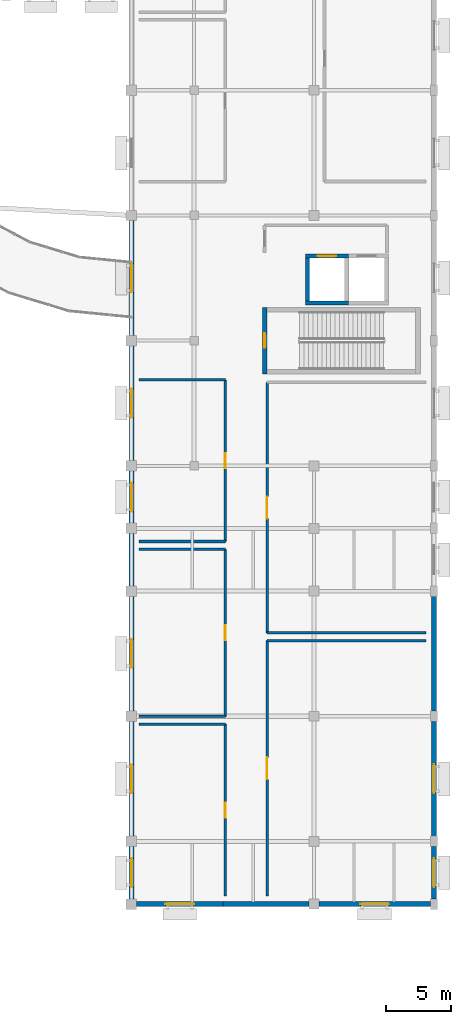
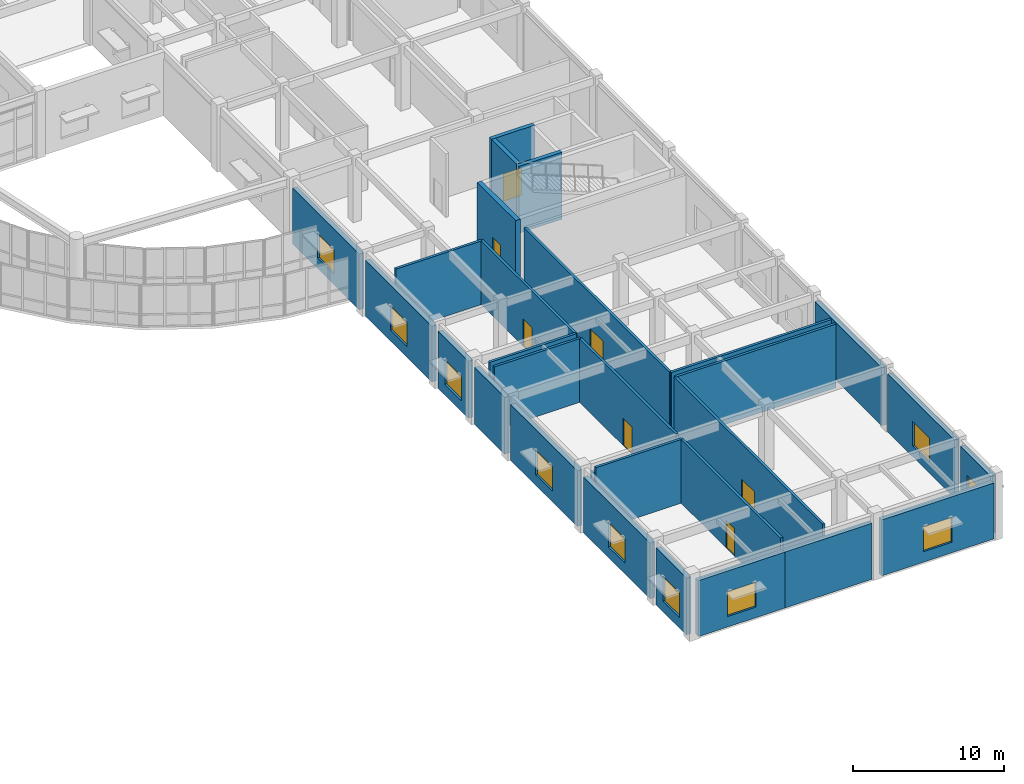
# One storey, part 52 of 72: 29 walls, 10 windows, 7 doors, 17 openings.
"""IFC4 building model written with IfcOpenShell, lengths in metres."""

from ifc_helpers import new_model, si_unit, direction, frame, frame_2d, origin, place, context, subcontext, project, spatial, rectangle, extrude, material, layer, layer_set, type_object, element, fill, save


model = new_model("IFC4")

# Units and contexts
model_context = context("Model", 3, precision=1e-05, world=origin(), true_north=direction((0.0, 1.0)))
body_context = subcontext(model_context, "Body", "Model", "MODEL_VIEW")
ifc_project = project(units=[si_unit("LENGTHUNIT", "METRE"), si_unit("AREAUNIT", "SQUARE_METRE"), si_unit("VOLUMEUNIT", "CUBIC_METRE"), si_unit("PLANEANGLEUNIT", "RADIAN"), si_unit("MASSUNIT", "GRAM", prefix="KILO")], contexts=[model_context])

# Site, building, storey
site_placement = place(None, origin())
site = spatial("IfcSite", under=ifc_project, at=site_placement, CompositionType="ELEMENT")
building_placement = place(site_placement, origin())
building = spatial("IfcBuilding", under=site, at=building_placement, Name="Veldera Park Congress Hotel", CompositionType="ELEMENT")
storey_placement = place(building_placement, frame((0.0, 0.0, 5.39990234375)))
storey = spatial("IfcBuildingStorey", under=building, at=storey_placement, Name="L01", CompositionType="ELEMENT", Elevation=5.39990234375)

# Wall, opening, window
ifc_material_1 = material(Name="Architectural Sandstone Cladding (ASTM C616)", Category="masonry")
ifc_layer_1 = layer(ifc_material_1, 0.360107421875)
ifc_layer_set_1 = layer_set([ifc_layer_1], Name="Architectural Sandstone Cladding (ASTM C616)")
wall_type_1 = type_object("IfcWallType", Name="EW-STONE360", PredefinedType="STANDARD", material=ifc_layer_set_1)
wall_1_placement = place(storey_placement, frame((61.197998046875, -52.199951171875, 0.0), z_axis=(0.0, 0.0, 1.0), x_axis=(1.0, 0.0, 0.0)))
wall_1 = element("IfcWall", 1, at=wall_1_placement, inside=storey, type_object=wall_type_1, Name="L01 Exterior Wall EW3-L01-0141", PredefinedType="STANDARD", context=body_context, shape_type="SweptSolid", body=[
    extrude(rectangle(XDim=6.616455078125, YDim=0.360107421875, at=frame_2d((3.30810546875, 0.0))), origin(), (0.0, 0.0, 1.0), 4.51318359375),
])
opening_1_placement = place(wall_1_placement, frame((2.208251953125, 0.0, 0.85009765625)))
opening_1 = element("IfcOpeningElement", 2, at=opening_1_placement, cuts=wall_1, Name="Opening WIN-2200", PredefinedType="OPENING", context=body_context, shape_type="SweptSolid", body=[
    extrude(rectangle(XDim=2.199951171875, YDim=2.0, at=frame_2d((1.10009765625, 1.0))), frame((0.0, 0.192138671875, 0.0), z_axis=(0.0, -1.0, 0.0), x_axis=(1.0, 0.0, 0.0)), (0.0, 0.0, 1.0), 0.384033203125),
])
ifc_material_2 = material(Name="Low-E Triple Insulating Glass Unit (SHGC 0.22)", Category="glass")
window_type = type_object("IfcWindowType", Name="WIN-2200", PartitioningType="DOUBLE_PANEL_VERTICAL", PredefinedType="WINDOW", material=ifc_material_2)
window_1_placement = place(opening_1_placement, origin())
window_1 = element("IfcWindow", 3, at=window_1_placement, inside=storey, type_object=window_type, Name="L01 Window WIN-2200 148", OverallHeight=2.0, OverallWidth=2.199951171875, PartitioningType="DOUBLE_PANEL_VERTICAL", PredefinedType="WINDOW", context=body_context, shape_type="SweptSolid", body=[
    extrude(rectangle(XDim=2.199951171875, YDim=2.0, at=frame_2d((1.10009765625, 1.0))), frame((0.0, 0.030029296875, 0.0), z_axis=(0.0, -1.0, 0.0), x_axis=(1.0, 0.0, 0.0)), (0.0, 0.0, 1.0), 0.06005859375),
])
fill(opening_1, window_1)

# Wall
wall_2_placement = place(storey_placement, frame((67.810546875, -52.199951171875, 0.0), z_axis=(0.0, 0.0, 1.0), x_axis=(1.0, 0.0, 0.0)))
element("IfcWall", 4, at=wall_2_placement, inside=storey, type_object=wall_type_1, Name="L01 Exterior Wall EW3-L01-0142", PredefinedType="STANDARD", context=body_context, shape_type="SweptSolid", body=[
    extrude(rectangle(XDim=6.616455078125, YDim=0.360107421875, at=frame_2d((3.30810546875, 0.0))), origin(), (0.0, 0.0, 1.0), 4.51318359375),
])

# Wall, opening, window
wall_3_placement = place(storey_placement, frame((75.173095703125, -52.199951171875, 0.0), z_axis=(0.0, 0.0, 1.0), x_axis=(1.0, 0.0, 0.0)))
wall_3 = element("IfcWall", 5, at=wall_3_placement, inside=storey, type_object=wall_type_1, Name="L01 Exterior Wall EW3-L01-0143", PredefinedType="STANDARD", context=body_context, shape_type="SweptSolid", body=[
    extrude(rectangle(XDim=8.553955078125, YDim=0.360107421875, at=frame_2d((4.27685546875, 0.0))), origin(), (0.0, 0.0, 1.0), 4.51318359375),
])
opening_2_placement = place(wall_3_placement, frame((3.177001953125, 0.0, 0.85009765625)))
opening_2 = element("IfcOpeningElement", 6, at=opening_2_placement, cuts=wall_3, Name="Opening WIN-2200", PredefinedType="OPENING", context=body_context, shape_type="SweptSolid", body=[
    extrude(rectangle(XDim=2.199951171875, YDim=2.0, at=frame_2d((1.10009765625, 1.0))), frame((0.0, 0.192138671875, 0.0), z_axis=(0.0, -1.0, 0.0), x_axis=(1.0, 0.0, 0.0)), (0.0, 0.0, 1.0), 0.384033203125),
])
window_2_placement = place(opening_2_placement, origin())
window_2 = element("IfcWindow", 7, at=window_2_placement, inside=storey, type_object=window_type, Name="L01 Window WIN-2200 149", OverallHeight=2.0, OverallWidth=2.199951171875, PartitioningType="DOUBLE_PANEL_VERTICAL", PredefinedType="WINDOW", context=body_context, shape_type="SweptSolid", body=[
    extrude(rectangle(XDim=2.199951171875, YDim=2.0, at=frame_2d((1.10009765625, 1.0))), frame((0.0, 0.030029296875, 0.0), z_axis=(0.0, -1.0, 0.0), x_axis=(1.0, 0.0, 0.0)), (0.0, 0.0, 1.0), 0.06005859375),
])
fill(opening_2, window_2)

wall_4_placement = place(storey_placement, frame((84.0, -51.802001953125, 0.0), z_axis=(0.0, 0.0, 1.0), x_axis=(0.0, 1.0, 0.0)))
wall_4 = element("IfcWall", 8, at=wall_4_placement, inside=storey, type_object=wall_type_1, Name="L01 Exterior Wall EW3-L01-0144", PredefinedType="STANDARD", context=body_context, shape_type="SweptSolid", body=[
    extrude(rectangle(XDim=4.00390625, YDim=0.360107421875, at=frame_2d((2.001953125, 0.0))), origin(), (0.0, 0.0, 1.0), 4.662109375),
])
opening_3_placement = place(wall_4_placement, frame((0.902099609375, 0.0, 0.85009765625)))
opening_3 = element("IfcOpeningElement", 9, at=opening_3_placement, cuts=wall_4, Name="Opening WIN-2200", PredefinedType="OPENING", context=body_context, shape_type="SweptSolid", body=[
    extrude(rectangle(XDim=2.199951171875, YDim=2.0, at=frame_2d((1.10009765625, 1.0))), frame((0.0, 0.192138671875, 0.0), z_axis=(0.0, -1.0, 0.0), x_axis=(1.0, 0.0, 0.0)), (0.0, 0.0, 1.0), 0.384033203125),
])
window_3_placement = place(opening_3_placement, origin())
window_3 = element("IfcWindow", 10, at=window_3_placement, inside=storey, type_object=window_type, Name="L01 Window WIN-2200 150", OverallHeight=2.0, OverallWidth=2.199951171875, PartitioningType="DOUBLE_PANEL_VERTICAL", PredefinedType="WINDOW", context=body_context, shape_type="SweptSolid", body=[
    extrude(rectangle(XDim=2.199951171875, YDim=2.0, at=frame_2d((1.10009765625, 1.0))), frame((0.0, 0.030029296875, 0.0), z_axis=(0.0, -1.0, 0.0), x_axis=(1.0, 0.0, 0.0)), (0.0, 0.0, 1.0), 0.06005859375),
])
fill(opening_3, window_3)

wall_5_placement = place(storey_placement, frame((84.0, -47.001953125, 0.0), z_axis=(0.0, 0.0, 1.0), x_axis=(0.0, 1.0, 0.0)))
wall_5 = element("IfcWall", 11, at=wall_5_placement, inside=storey, type_object=wall_type_1, Name="L01 Exterior Wall EW3-L01-0145", PredefinedType="STANDARD", context=body_context, shape_type="SweptSolid", body=[
    extrude(rectangle(XDim=8.803955078125, YDim=0.360107421875, at=frame_2d((4.40185546875, 0.0))), origin(), (0.0, 0.0, 1.0), 4.662109375),
])
opening_4_placement = place(wall_5_placement, frame((3.302001953125, 0.0, 0.85009765625)))
opening_4 = element("IfcOpeningElement", 12, at=opening_4_placement, cuts=wall_5, Name="Opening WIN-2200", PredefinedType="OPENING", context=body_context, shape_type="SweptSolid", body=[
    extrude(rectangle(XDim=2.199951171875, YDim=2.0, at=frame_2d((1.10009765625, 1.0))), frame((0.0, 0.192138671875, 0.0), z_axis=(0.0, -1.0, 0.0), x_axis=(1.0, 0.0, 0.0)), (0.0, 0.0, 1.0), 0.384033203125),
])
window_4_placement = place(opening_4_placement, origin())
window_4 = element("IfcWindow", 13, at=window_4_placement, inside=storey, type_object=window_type, Name="L01 Window WIN-2200 151", OverallHeight=2.0, OverallWidth=2.199951171875, PartitioningType="DOUBLE_PANEL_VERTICAL", PredefinedType="WINDOW", context=body_context, shape_type="SweptSolid", body=[
    extrude(rectangle(XDim=2.199951171875, YDim=2.0, at=frame_2d((1.10009765625, 1.0))), frame((0.0, 0.030029296875, 0.0), z_axis=(0.0, -1.0, 0.0), x_axis=(1.0, 0.0, 0.0)), (0.0, 0.0, 1.0), 0.06005859375),
])
fill(opening_4, window_4)

# Wall
wall_6_placement = place(storey_placement, frame((84.0, -37.402099609375, 0.0), z_axis=(0.0, 0.0, 1.0), x_axis=(0.0, 1.0, 0.0)))
element("IfcWall", 14, at=wall_6_placement, inside=storey, type_object=wall_type_1, Name="L01 Exterior Wall EW3-L01-0146", PredefinedType="STANDARD", context=body_context, shape_type="SweptSolid", body=[
    extrude(rectangle(XDim=8.80419921875, YDim=0.360107421875, at=frame_2d((4.402099609375, 0.0))), origin(), (0.0, 0.0, 1.0), 4.662109375),
])

# Wall, opening, window
wall_7_placement = place(storey_placement, frame((60.800048828125, 0.201904296875, 0.0), z_axis=(0.0, 0.0, 1.0), x_axis=(0.0, -1.0, 0.0)))
wall_7 = element("IfcWall", 15, at=wall_7_placement, inside=storey, type_object=wall_type_1, Name="L01 Exterior Wall EW3-L01-0164", PredefinedType="STANDARD", context=body_context, shape_type="SweptSolid", body=[
    extrude(rectangle(XDim=8.803955078125, YDim=0.360107421875, at=frame_2d((4.40185546875, 0.0))), origin(), (0.0, 0.0, 1.0), 4.485107421875),
])
opening_5_placement = place(wall_7_placement, frame((3.302001953125, 0.0, 0.85009765625)))
opening_5 = element("IfcOpeningElement", 16, at=opening_5_placement, cuts=wall_7, Name="Opening WIN-2200", PredefinedType="OPENING", context=body_context, shape_type="SweptSolid", body=[
    extrude(rectangle(XDim=2.199951171875, YDim=2.0, at=frame_2d((1.10009765625, 1.0))), frame((0.0, 0.192138671875, 0.0), z_axis=(0.0, -1.0, 0.0), x_axis=(1.0, 0.0, 0.0)), (0.0, 0.0, 1.0), 0.384033203125),
])
window_5_placement = place(opening_5_placement, origin())
window_5 = element("IfcWindow", 17, at=window_5_placement, inside=storey, type_object=window_type, Name="L01 Window WIN-2200 170", OverallHeight=2.0, OverallWidth=2.199951171875, PartitioningType="DOUBLE_PANEL_VERTICAL", PredefinedType="WINDOW", context=body_context, shape_type="SweptSolid", body=[
    extrude(rectangle(XDim=2.199951171875, YDim=2.0, at=frame_2d((1.10009765625, 1.0))), frame((0.0, 0.030029296875, 0.0), z_axis=(0.0, -1.0, 0.0), x_axis=(1.0, 0.0, 0.0)), (0.0, 0.0, 1.0), 0.06005859375),
])
fill(opening_5, window_5)

wall_8_placement = place(storey_placement, frame((60.800048828125, -9.39794921875, 0.0), z_axis=(0.0, 0.0, 1.0), x_axis=(0.0, -1.0, 0.0)))
wall_8 = element("IfcWall", 18, at=wall_8_placement, inside=storey, type_object=wall_type_1, Name="L01 Exterior Wall EW3-L01-0165", PredefinedType="STANDARD", context=body_context, shape_type="SweptSolid", body=[
    extrude(rectangle(XDim=8.803955078125, YDim=0.360107421875, at=frame_2d((4.40185546875, 0.0))), origin(), (0.0, 0.0, 1.0), 4.485107421875),
])
opening_6_placement = place(wall_8_placement, frame((3.302001953125, 0.0, 0.85009765625)))
opening_6 = element("IfcOpeningElement", 19, at=opening_6_placement, cuts=wall_8, Name="Opening WIN-2200", PredefinedType="OPENING", context=body_context, shape_type="SweptSolid", body=[
    extrude(rectangle(XDim=2.199951171875, YDim=2.0, at=frame_2d((1.10009765625, 1.0))), frame((0.0, 0.192138671875, 0.0), z_axis=(0.0, -1.0, 0.0), x_axis=(1.0, 0.0, 0.0)), (0.0, 0.0, 1.0), 0.384033203125),
])
window_6_placement = place(opening_6_placement, origin())
window_6 = element("IfcWindow", 20, at=window_6_placement, inside=storey, type_object=window_type, Name="L01 Window WIN-2200 171", OverallHeight=2.0, OverallWidth=2.199951171875, PartitioningType="DOUBLE_PANEL_VERTICAL", PredefinedType="WINDOW", context=body_context, shape_type="SweptSolid", body=[
    extrude(rectangle(XDim=2.199951171875, YDim=2.0, at=frame_2d((1.10009765625, 1.0))), frame((0.0, 0.030029296875, 0.0), z_axis=(0.0, -1.0, 0.0), x_axis=(1.0, 0.0, 0.0)), (0.0, 0.0, 1.0), 0.06005859375),
])
fill(opening_6, window_6)

wall_9_placement = place(storey_placement, frame((60.800048828125, -18.998046875, 0.0), z_axis=(0.0, 0.0, 1.0), x_axis=(0.0, -1.0, 0.0)))
wall_9 = element("IfcWall", 21, at=wall_9_placement, inside=storey, type_object=wall_type_1, Name="L01 Exterior Wall EW3-L01-0166", PredefinedType="STANDARD", context=body_context, shape_type="SweptSolid", body=[
    extrude(rectangle(XDim=4.00390625, YDim=0.360107421875, at=frame_2d((2.001953125, 0.0))), origin(), (0.0, 0.0, 1.0), 4.585205078125),
])
opening_7_placement = place(wall_9_placement, frame((0.902099609375, 0.0, 0.85009765625)))
opening_7 = element("IfcOpeningElement", 22, at=opening_7_placement, cuts=wall_9, Name="Opening WIN-2200", PredefinedType="OPENING", context=body_context, shape_type="SweptSolid", body=[
    extrude(rectangle(XDim=2.199951171875, YDim=2.0, at=frame_2d((1.10009765625, 1.0))), frame((0.0, 0.192138671875, 0.0), z_axis=(0.0, -1.0, 0.0), x_axis=(1.0, 0.0, 0.0)), (0.0, 0.0, 1.0), 0.384033203125),
])
window_7_placement = place(opening_7_placement, origin())
window_7 = element("IfcWindow", 23, at=window_7_placement, inside=storey, type_object=window_type, Name="L01 Window WIN-2200 172", OverallHeight=2.0, OverallWidth=2.199951171875, PartitioningType="DOUBLE_PANEL_VERTICAL", PredefinedType="WINDOW", context=body_context, shape_type="SweptSolid", body=[
    extrude(rectangle(XDim=2.199951171875, YDim=2.0, at=frame_2d((1.10009765625, 1.0))), frame((0.0, 0.030029296875, 0.0), z_axis=(0.0, -1.0, 0.0), x_axis=(1.0, 0.0, 0.0)), (0.0, 0.0, 1.0), 0.06005859375),
])
fill(opening_7, window_7)

# Wall
wall_10_placement = place(storey_placement, frame((60.800048828125, -23.798095703125, 0.0), z_axis=(0.0, 0.0, 1.0), x_axis=(0.0, -1.0, 0.0)))
element("IfcWall", 24, at=wall_10_placement, inside=storey, type_object=wall_type_1, Name="L01 Exterior Wall EW3-L01-0167", PredefinedType="STANDARD", context=body_context, shape_type="SweptSolid", body=[
    extrude(rectangle(XDim=4.00390625, YDim=0.360107421875, at=frame_2d((2.001953125, 0.0))), origin(), (0.0, 0.0, 1.0), 4.585205078125),
])

# Wall, opening, window
wall_11_placement = place(storey_placement, frame((60.800048828125, -28.597900390625, 0.0), z_axis=(0.0, 0.0, 1.0), x_axis=(0.0, -1.0, 0.0)))
wall_11 = element("IfcWall", 25, at=wall_11_placement, inside=storey, type_object=wall_type_1, Name="L01 Exterior Wall EW3-L01-0168", PredefinedType="STANDARD", context=body_context, shape_type="SweptSolid", body=[
    extrude(rectangle(XDim=8.80419921875, YDim=0.360107421875, at=frame_2d((4.402099609375, 0.0))), origin(), (0.0, 0.0, 1.0), 4.485107421875),
])
opening_8_placement = place(wall_11_placement, frame((3.302001953125, 0.0, 0.85009765625)))
opening_8 = element("IfcOpeningElement", 26, at=opening_8_placement, cuts=wall_11, Name="Opening WIN-2200", PredefinedType="OPENING", context=body_context, shape_type="SweptSolid", body=[
    extrude(rectangle(XDim=2.199951171875, YDim=2.0, at=frame_2d((1.10009765625, 1.0))), frame((0.0, 0.192138671875, 0.0), z_axis=(0.0, -1.0, 0.0), x_axis=(1.0, 0.0, 0.0)), (0.0, 0.0, 1.0), 0.384033203125),
])
window_8_placement = place(opening_8_placement, origin())
window_8 = element("IfcWindow", 27, at=window_8_placement, inside=storey, type_object=window_type, Name="L01 Window WIN-2200 173", OverallHeight=2.0, OverallWidth=2.199951171875, PartitioningType="DOUBLE_PANEL_VERTICAL", PredefinedType="WINDOW", context=body_context, shape_type="SweptSolid", body=[
    extrude(rectangle(XDim=2.199951171875, YDim=2.0, at=frame_2d((1.10009765625, 1.0))), frame((0.0, 0.030029296875, 0.0), z_axis=(0.0, -1.0, 0.0), x_axis=(1.0, 0.0, 0.0)), (0.0, 0.0, 1.0), 0.06005859375),
])
fill(opening_8, window_8)

wall_12_placement = place(storey_placement, frame((60.800048828125, -38.197998046875, 0.0), z_axis=(0.0, 0.0, 1.0), x_axis=(0.0, -1.0, 0.0)))
wall_12 = element("IfcWall", 28, at=wall_12_placement, inside=storey, type_object=wall_type_1, Name="L01 Exterior Wall EW3-L01-0169", PredefinedType="STANDARD", context=body_context, shape_type="SweptSolid", body=[
    extrude(rectangle(XDim=8.803955078125, YDim=0.360107421875, at=frame_2d((4.40185546875, 0.0))), origin(), (0.0, 0.0, 1.0), 4.485107421875),
])
opening_9_placement = place(wall_12_placement, frame((3.302001953125, 0.0, 0.85009765625)))
opening_9 = element("IfcOpeningElement", 29, at=opening_9_placement, cuts=wall_12, Name="Opening WIN-2200", PredefinedType="OPENING", context=body_context, shape_type="SweptSolid", body=[
    extrude(rectangle(XDim=2.199951171875, YDim=2.0, at=frame_2d((1.10009765625, 1.0))), frame((0.0, 0.192138671875, 0.0), z_axis=(0.0, -1.0, 0.0), x_axis=(1.0, 0.0, 0.0)), (0.0, 0.0, 1.0), 0.384033203125),
])
window_9_placement = place(opening_9_placement, origin())
window_9 = element("IfcWindow", 30, at=window_9_placement, inside=storey, type_object=window_type, Name="L01 Window WIN-2200 174", OverallHeight=2.0, OverallWidth=2.199951171875, PartitioningType="DOUBLE_PANEL_VERTICAL", PredefinedType="WINDOW", context=body_context, shape_type="SweptSolid", body=[
    extrude(rectangle(XDim=2.199951171875, YDim=2.0, at=frame_2d((1.10009765625, 1.0))), frame((0.0, 0.030029296875, 0.0), z_axis=(0.0, -1.0, 0.0), x_axis=(1.0, 0.0, 0.0)), (0.0, 0.0, 1.0), 0.06005859375),
])
fill(opening_9, window_9)

wall_13_placement = place(storey_placement, frame((60.800048828125, -47.798095703125, 0.0), z_axis=(0.0, 0.0, 1.0), x_axis=(0.0, -1.0, 0.0)))
wall_13 = element("IfcWall", 31, at=wall_13_placement, inside=storey, type_object=wall_type_1, Name="L01 Exterior Wall EW3-L01-0170", PredefinedType="STANDARD", context=body_context, shape_type="SweptSolid", body=[
    extrude(rectangle(XDim=4.00390625, YDim=0.360107421875, at=frame_2d((2.001953125, 0.0))), origin(), (0.0, 0.0, 1.0), 4.585205078125),
])
opening_10_placement = place(wall_13_placement, frame((0.902099609375, 0.0, 0.85009765625)))
opening_10 = element("IfcOpeningElement", 32, at=opening_10_placement, cuts=wall_13, Name="Opening WIN-2200", PredefinedType="OPENING", context=body_context, shape_type="SweptSolid", body=[
    extrude(rectangle(XDim=2.199951171875, YDim=2.0, at=frame_2d((1.10009765625, 1.0))), frame((0.0, 0.192138671875, 0.0), z_axis=(0.0, -1.0, 0.0), x_axis=(1.0, 0.0, 0.0)), (0.0, 0.0, 1.0), 0.384033203125),
])
window_10_placement = place(opening_10_placement, origin())
window_10 = element("IfcWindow", 33, at=window_10_placement, inside=storey, type_object=window_type, Name="L01 Window WIN-2200 175", OverallHeight=2.0, OverallWidth=2.199951171875, PartitioningType="DOUBLE_PANEL_VERTICAL", PredefinedType="WINDOW", context=body_context, shape_type="SweptSolid", body=[
    extrude(rectangle(XDim=2.199951171875, YDim=2.0, at=frame_2d((1.10009765625, 1.0))), frame((0.0, 0.030029296875, 0.0), z_axis=(0.0, -1.0, 0.0), x_axis=(1.0, 0.0, 0.0)), (0.0, 0.0, 1.0), 0.06005859375),
])
fill(opening_10, window_10)

# Wall, opening, door
ifc_material_3 = material(Name="Fire-Rated Gypsum Board on Cold-Formed Steel Studs", Category="steel")
ifc_layer_2 = layer(ifc_material_3, 0.195068359375)
ifc_layer_set_2 = layer_set([ifc_layer_2], Name="Fire-Rated Gypsum Board on Cold-Formed Steel Studs")
wall_type_2 = type_object("IfcWallType", Name="IW-CORR195", PredefinedType="PARTITIONING", material=ifc_layer_set_2)
wall_14_placement = place(storey_placement, frame((68.0, -51.60009765625, 0.0), z_axis=(0.0, 0.0, 1.0), x_axis=(0.0, 1.0, 0.0)))
wall_14 = element("IfcWall", 34, at=wall_14_placement, inside=storey, type_object=wall_type_2, Name="L01 Partition Wall IW3-L01-00141", PredefinedType="PARTITIONING", context=body_context, shape_type="SweptSolid", body=[
    extrude(rectangle(XDim=13.2001953125, YDim=0.195068359375, at=frame_2d((6.60009765625, 0.0))), origin(), (0.0, 0.0, 1.0), 5.130126953125),
])
opening_11_placement = place(wall_14_placement, frame((6.02490234375, 0.0, 0.0)))
opening_11 = element("IfcOpeningElement", 35, at=opening_11_placement, cuts=wall_14, Name="Opening ID-MEET115", PredefinedType="OPENING", context=body_context, shape_type="SweptSolid", body=[
    extrude(rectangle(XDim=1.14990234375, YDim=2.199951171875, at=frame_2d((0.574951171875, 1.10009765625))), frame((0.0, 0.109619140625, 0.0), z_axis=(0.0, -1.0, 0.0), x_axis=(1.0, 0.0, 0.0)), (0.0, 0.0, 1.0), 0.218994140625),
])
ifc_material_4 = material(Name="Solid Core White Oak Architectural Door", Category="wood")
door_type_1 = type_object("IfcDoorType", Name="ID-MEET115", OperationType="NOTDEFINED", PredefinedType="DOOR", material=ifc_material_4)
door_1_placement = place(opening_11_placement, origin())
door_1 = element("IfcDoor", 36, at=door_1_placement, inside=storey, type_object=door_type_1, Name="L01 Symposium Lecture Room Ocotillo Door ID3-L01-0049 (DR3-ID3-L01-0049)", OperationType="SINGLE_SWING_RIGHT", OverallHeight=2.199951171875, OverallWidth=1.14990234375, PredefinedType="DOOR", context=body_context, shape_type="SweptSolid", body=[
    extrude(rectangle(XDim=1.14990234375, YDim=2.199951171875, at=frame_2d((0.574951171875, 1.10009765625))), frame((0.0, 0.02490234375, 0.0), z_axis=(0.0, -1.0, 0.0), x_axis=(1.0, 0.0, 0.0)), (0.0, 0.0, 1.0), 0.050048828125),
])
fill(opening_11, door_1)

# Walls
wall_15_placement = place(storey_placement, frame((68.0, -38.39990234375, 0.0), z_axis=(0.0, 0.0, 1.0), x_axis=(-1.0, 0.0, 0.0)))
element("IfcWall", 37, at=wall_15_placement, inside=storey, type_object=wall_type_2, Name="L01 Partition Wall IW3-L01-00142", PredefinedType="PARTITIONING", context=body_context, shape_type="SweptSolid", body=[
    extrude(rectangle(XDim=6.60009765625, YDim=0.195068359375, at=frame_2d((3.300048828125, 0.0))), origin(), (0.0, 0.0, 1.0), 5.130126953125),
])
wall_16_placement = place(storey_placement, frame((61.39990234375, -37.800048828125, 0.0), z_axis=(0.0, 0.0, 1.0), x_axis=(1.0, 0.0, 0.0)))
element("IfcWall", 38, at=wall_16_placement, inside=storey, type_object=wall_type_2, Name="L01 Partition Wall IW3-L01-00143", PredefinedType="PARTITIONING", context=body_context, shape_type="SweptSolid", body=[
    extrude(rectangle(XDim=6.60009765625, YDim=0.195068359375, at=frame_2d((3.300048828125, 0.0))), origin(), (0.0, 0.0, 1.0), 4.405029296875),
])

# Wall, opening, door
wall_17_placement = place(storey_placement, frame((68.0, -37.800048828125, 0.0), z_axis=(0.0, 0.0, 1.0), x_axis=(0.0, 1.0, 0.0)))
wall_17 = element("IfcWall", 39, at=wall_17_placement, inside=storey, type_object=wall_type_2, Name="L01 Partition Wall IW3-L01-00144", PredefinedType="PARTITIONING", context=body_context, shape_type="SweptSolid", body=[
    extrude(rectangle(XDim=12.800048828125, YDim=0.195068359375, at=frame_2d((6.39990234375, 0.0))), origin(), (0.0, 0.0, 1.0), 5.130126953125),
])
opening_12_placement = place(wall_17_placement, frame((5.824951171875, 0.0, 0.0)))
opening_12 = element("IfcOpeningElement", 40, at=opening_12_placement, cuts=wall_17, Name="Opening ID-MEET115", PredefinedType="OPENING", context=body_context, shape_type="SweptSolid", body=[
    extrude(rectangle(XDim=1.14990234375, YDim=2.199951171875, at=frame_2d((0.574951171875, 1.10009765625))), frame((0.0, 0.109619140625, 0.0), z_axis=(0.0, -1.0, 0.0), x_axis=(1.0, 0.0, 0.0)), (0.0, 0.0, 1.0), 0.218994140625),
])
door_2_placement = place(opening_12_placement, origin())
door_2 = element("IfcDoor", 41, at=door_2_placement, inside=storey, type_object=door_type_1, Name="L01 Symposium Lecture Room Mesquite Door ID3-L01-0050 (DR3-ID3-L01-0050)", OperationType="SINGLE_SWING_LEFT", OverallHeight=2.199951171875, OverallWidth=1.14990234375, PredefinedType="DOOR", context=body_context, shape_type="SweptSolid", body=[
    extrude(rectangle(XDim=1.14990234375, YDim=2.199951171875, at=frame_2d((0.574951171875, 1.10009765625))), frame((0.0, 0.02490234375, 0.0), z_axis=(0.0, -1.0, 0.0), x_axis=(1.0, 0.0, 0.0)), (0.0, 0.0, 1.0), 0.050048828125),
])
fill(opening_12, door_2)

# Walls
for number, where, z_axis, x_axis, name in (
    (42, (68.0, -25.0, 0.0), (0.0, 0.0, 1.0), (-1.0, 0.0, 0.0), "L01 Partition Wall IW3-L01-00145"),
    (43, (61.39990234375, -24.39990234375, 0.0), (0.0, 0.0, 1.0), (1.0, 0.0, 0.0), "L01 Partition Wall IW3-L01-00146"),
):
    element("IfcWall", number, at=place(storey_placement, frame(where, z_axis=z_axis, x_axis=x_axis)), inside=storey, type_object=wall_type_2, Name=name, PredefinedType="PARTITIONING", context=body_context, shape_type="SweptSolid", body=[
        extrude(rectangle(XDim=6.60009765625, YDim=0.195068359375, at=frame_2d((3.300048828125, 0.0))), origin(), (0.0, 0.0, 1.0), 5.130126953125),
    ])

# Wall, opening, door
wall_18_placement = place(storey_placement, frame((68.0, -24.39990234375, 0.0), z_axis=(0.0, 0.0, 1.0), x_axis=(0.0, 1.0, 0.0)))
wall_18 = element("IfcWall", 44, at=wall_18_placement, inside=storey, type_object=wall_type_2, Name="L01 Partition Wall IW3-L01-00147", PredefinedType="PARTITIONING", context=body_context, shape_type="SweptSolid", body=[
    extrude(rectangle(XDim=12.39990234375, YDim=0.195068359375, at=frame_2d((6.199951171875, 0.0))), origin(), (0.0, 0.0, 1.0), 5.130126953125),
])
opening_13_placement = place(wall_18_placement, frame((5.625, 0.0, 0.0)))
opening_13 = element("IfcOpeningElement", 45, at=opening_13_placement, cuts=wall_18, Name="Opening ID-MEET115", PredefinedType="OPENING", context=body_context, shape_type="SweptSolid", body=[
    extrude(rectangle(XDim=1.14990234375, YDim=2.199951171875, at=frame_2d((0.574951171875, 1.10009765625))), frame((0.0, 0.109619140625, 0.0), z_axis=(0.0, -1.0, 0.0), x_axis=(1.0, 0.0, 0.0)), (0.0, 0.0, 1.0), 0.218994140625),
])
door_3_placement = place(opening_13_placement, origin())
door_3 = element("IfcDoor", 46, at=door_3_placement, inside=storey, type_object=door_type_1, Name="L01 Delegate Caucus Suite Ironwood Door ID3-L01-0051 (DR3-ID3-L01-0051)", OperationType="SINGLE_SWING_RIGHT", OverallHeight=2.199951171875, OverallWidth=1.14990234375, PredefinedType="DOOR", context=body_context, shape_type="SweptSolid", body=[
    extrude(rectangle(XDim=1.14990234375, YDim=2.199951171875, at=frame_2d((0.574951171875, 1.10009765625))), frame((0.0, 0.02490234375, 0.0), z_axis=(0.0, -1.0, 0.0), x_axis=(1.0, 0.0, 0.0)), (0.0, 0.0, 1.0), 0.050048828125),
])
fill(opening_13, door_3)

# Walls
wall_19_placement = place(storey_placement, frame((68.0, -12.0, 0.0), z_axis=(0.0, 0.0, 1.0), x_axis=(-1.0, 0.0, 0.0)))
element("IfcWall", 47, at=wall_19_placement, inside=storey, type_object=wall_type_2, Name="L01 Partition Wall IW3-L01-00148", PredefinedType="PARTITIONING", context=body_context, shape_type="SweptSolid", body=[
    extrude(rectangle(XDim=6.60009765625, YDim=0.195068359375, at=frame_2d((3.300048828125, 0.0))), origin(), (0.0, 0.0, 1.0), 5.130126953125),
])
wall_20_placement = place(storey_placement, frame((83.39990234375, -32.0, 0.0), z_axis=(0.0, 0.0, 1.0), x_axis=(-1.0, 0.0, 0.0)))
element("IfcWall", 48, at=wall_20_placement, inside=storey, type_object=wall_type_2, Name="L01 Partition Wall IW3-L01-00155", PredefinedType="PARTITIONING", context=body_context, shape_type="SweptSolid", body=[
    extrude(rectangle(XDim=12.199951171875, YDim=0.195068359375, at=frame_2d((6.10009765625, 0.0))), origin(), (0.0, 0.0, 1.0), 5.130126953125),
])

# Wall, opening, door
wall_21_placement = place(storey_placement, frame((71.199951171875, -32.0, 0.0), z_axis=(0.0, 0.0, 1.0), x_axis=(0.0, -1.0, 0.0)))
wall_21 = element("IfcWall", 49, at=wall_21_placement, inside=storey, type_object=wall_type_2, Name="L01 Partition Wall IW3-L01-00156", PredefinedType="PARTITIONING", context=body_context, shape_type="SweptSolid", body=[
    extrude(rectangle(XDim=19.60009765625, YDim=0.195068359375, at=frame_2d((9.800048828125, 0.0))), origin(), (0.0, 0.0, 1.0), 5.130126953125),
])
opening_14_placement = place(wall_21_placement, frame((8.949951171875, 0.0, 0.0)))
opening_14 = element("IfcOpeningElement", 50, at=opening_14_placement, cuts=wall_21, Name="Opening ID-HALL170", PredefinedType="OPENING", context=body_context, shape_type="SweptSolid", body=[
    extrude(rectangle(XDim=1.699951171875, YDim=2.300048828125, at=frame_2d((0.85009765625, 1.14990234375))), frame((0.0, 0.109619140625, 0.0), z_axis=(0.0, -1.0, 0.0), x_axis=(1.0, 0.0, 0.0)), (0.0, 0.0, 1.0), 0.218994140625),
])
door_type_2 = type_object("IfcDoorType", Name="ID-HALL170", OperationType="DOUBLE_DOOR_SINGLE_SWING", PredefinedType="DOOR", material=ifc_material_4)
door_4_placement = place(opening_14_placement, origin())
door_4 = element("IfcDoor", 51, at=door_4_placement, inside=storey, type_object=door_type_2, Name="L01 Symposium Plenary Breakout Suite Creosote Door ID3-L01-0054 (DR3-ID3-L01-0054)", OperationType="DOUBLE_DOOR_SINGLE_SWING", OverallHeight=2.300048828125, OverallWidth=1.699951171875, PredefinedType="DOOR", context=body_context, shape_type="SweptSolid", body=[
    extrude(rectangle(XDim=1.699951171875, YDim=2.300048828125, at=frame_2d((0.85009765625, 1.14990234375))), frame((0.0, 0.02490234375, 0.0), z_axis=(0.0, -1.0, 0.0), x_axis=(1.0, 0.0, 0.0)), (0.0, 0.0, 1.0), 0.050048828125),
])
fill(opening_14, door_4)

# Wall
wall_22_placement = place(storey_placement, frame((71.199951171875, -31.39990234375, 0.0), z_axis=(0.0, 0.0, 1.0), x_axis=(1.0, 0.0, 0.0)))
element("IfcWall", 52, at=wall_22_placement, inside=storey, type_object=wall_type_2, Name="L01 Partition Wall IW3-L01-00157", PredefinedType="PARTITIONING", context=body_context, shape_type="SweptSolid", body=[
    extrude(rectangle(XDim=12.199951171875, YDim=0.195068359375, at=frame_2d((6.10009765625, 0.0))), origin(), (0.0, 0.0, 1.0), 5.130126953125),
])

# Wall, opening, door
wall_23_placement = place(storey_placement, frame((71.199951171875, -12.199951171875, 0.0), z_axis=(0.0, 0.0, 1.0), x_axis=(0.0, -1.0, 0.0)))
wall_23 = element("IfcWall", 53, at=wall_23_placement, inside=storey, type_object=wall_type_2, Name="L01 Partition Wall IW3-L01-00159", PredefinedType="PARTITIONING", context=body_context, shape_type="SweptSolid", body=[
    extrude(rectangle(XDim=19.199951171875, YDim=0.195068359375, at=frame_2d((9.60009765625, 0.0))), origin(), (0.0, 0.0, 1.0), 5.130126953125),
])
opening_15_placement = place(wall_23_placement, frame((8.75, 0.0, 0.0)))
opening_15 = element("IfcOpeningElement", 54, at=opening_15_placement, cuts=wall_23, Name="Opening ID-HALL170", PredefinedType="OPENING", context=body_context, shape_type="SweptSolid", body=[
    extrude(rectangle(XDim=1.699951171875, YDim=2.300048828125, at=frame_2d((0.85009765625, 1.14990234375))), frame((0.0, 0.109619140625, 0.0), z_axis=(0.0, -1.0, 0.0), x_axis=(1.0, 0.0, 0.0)), (0.0, 0.0, 1.0), 0.218994140625),
])
door_5_placement = place(opening_15_placement, origin())
door_5 = element("IfcDoor", 55, at=door_5_placement, inside=storey, type_object=door_type_2, Name="L01 Symposium Plenary Breakout Suite Cholla Door ID3-L01-0055 (DR3-ID3-L01-0055)", OperationType="DOUBLE_DOOR_SINGLE_SWING", OverallHeight=2.300048828125, OverallWidth=1.699951171875, PredefinedType="DOOR", context=body_context, shape_type="SweptSolid", body=[
    extrude(rectangle(XDim=1.699951171875, YDim=2.300048828125, at=frame_2d((0.85009765625, 1.14990234375))), frame((0.0, 0.02490234375, 0.0), z_axis=(0.0, -1.0, 0.0), x_axis=(1.0, 0.0, 0.0)), (0.0, 0.0, 1.0), 0.050048828125),
])
fill(opening_15, door_5)

ifc_material_5 = material(Name="Concrete f'c 40 MPa (5,800 psi)", Category="concrete")
ifc_layer_3 = layer(ifc_material_5, 0.35009765625)
ifc_layer_set_3 = layer_set([ifc_layer_3], Name="Concrete f'c 40 MPa (5,800 psi)")
wall_type_3 = type_object("IfcWallType", Name="SW-CORE350", PredefinedType="SHEAR", material=ifc_layer_set_3)
wall_24_placement = place(storey_placement, frame((71.02490234375, -6.449951171875, 0.0), z_axis=(0.0, 0.0, 1.0), x_axis=(0.0, -1.0, 0.0)))
wall_24 = element("IfcWall", 56, at=wall_24_placement, inside=storey, type_object=wall_type_3, Name="Stair ST2 Core Wall L01-W", PredefinedType="SHEAR", context=body_context, shape_type="SweptSolid", body=[
    extrude(rectangle(XDim=5.10009765625, YDim=0.35009765625, at=frame_2d((2.550048828125, 0.0))), origin(), (0.0, 0.0, 1.0), 5.400146484375),
])
opening_16_placement = place(wall_24_placement, frame((2.0, 0.0, 0.0)))
opening_16 = element("IfcOpeningElement", 57, at=opening_16_placement, cuts=wall_24, Name="Opening ID-STAIR110", PredefinedType="OPENING", context=body_context, shape_type="SweptSolid", body=[
    extrude(rectangle(XDim=1.10009765625, YDim=2.199951171875, at=frame_2d((0.550048828125, 1.10009765625))), frame((0.0, 0.18701171875, 0.0), z_axis=(0.0, -1.0, 0.0), x_axis=(1.0, 0.0, 0.0)), (0.0, 0.0, 1.0), 0.3740234375),
])
ifc_material_6 = material(Name="Hollow Metal Fire-Rated Steel Door", Category="steel")
door_type_3 = type_object("IfcDoorType", Name="ID-STAIR110", OperationType="NOTDEFINED", PredefinedType="DOOR", material=ifc_material_6)
door_6_placement = place(opening_16_placement, origin())
door_6 = element("IfcDoor", 58, at=door_6_placement, inside=storey, type_object=door_type_3, Name="L01 Stair ST2 Fire Door (DR3-SD-ST2-L01)", OperationType="SINGLE_SWING_RIGHT", OverallHeight=2.199951171875, OverallWidth=1.10009765625, PredefinedType="DOOR", context=body_context, shape_type="SweptSolid", body=[
    extrude(rectangle(XDim=1.10009765625, YDim=2.199951171875, at=frame_2d((0.550048828125, 1.10009765625))), frame((0.0, 0.02490234375, 0.0), z_axis=(0.0, -1.0, 0.0), x_axis=(1.0, 0.0, 0.0)), (0.0, 0.0, 1.0), 0.050048828125),
])
fill(opening_16, door_6)

# Wall
ifc_layer_4 = layer(ifc_material_5, 0.300048828125)
ifc_layer_set_4 = layer_set([ifc_layer_4], Name="Concrete f'c 40 MPa (5,800 psi)")
wall_type_4 = type_object("IfcWallType", Name="SW-SHFT300", PredefinedType="SHEAR", material=ifc_layer_set_4)
wall_25_placement = place(storey_placement, frame((74.14990234375, -6.10009765625, 0.0), z_axis=(0.0, 0.0, 1.0), x_axis=(1.0, 0.0, 0.0)))
element("IfcWall", 59, at=wall_25_placement, inside=storey, type_object=wall_type_4, Name="Lift SL-01 Shaft Wall L01-S", PredefinedType="SHEAR", context=body_context, shape_type="SweptSolid", body=[
    extrude(rectangle(XDim=3.300048828125, YDim=0.300048828125, at=frame_2d((1.64990234375, 0.0))), origin(), (0.0, 0.0, 1.0), 5.400146484375),
])

# Wall, opening, door
wall_26_placement = place(storey_placement, frame((77.449951171875, -2.5, 0.0), z_axis=(0.0, 0.0, 1.0), x_axis=(-1.0, 0.0, 0.0)))
wall_26 = element("IfcWall", 60, at=wall_26_placement, inside=storey, type_object=wall_type_4, Name="Lift SL-01 Shaft Wall L01-N", PredefinedType="SHEAR", context=body_context, shape_type="SweptSolid", body=[
    extrude(rectangle(XDim=3.300048828125, YDim=0.300048828125, at=frame_2d((1.64990234375, 0.0))), origin(), (0.0, 0.0, 1.0), 5.400146484375),
])
opening_17_placement = place(wall_26_placement, frame((0.949951171875, 0.0, 0.0)))
opening_17 = element("IfcOpeningElement", 61, at=opening_17_placement, cuts=wall_26, Name="Opening LD-140", PredefinedType="OPENING", context=body_context, shape_type="SweptSolid", body=[
    extrude(rectangle(XDim=1.39990234375, YDim=2.199951171875, at=frame_2d((0.699951171875, 1.10009765625))), frame((0.0, 0.162109375, 0.0), z_axis=(0.0, -1.0, 0.0), x_axis=(1.0, 0.0, 0.0)), (0.0, 0.0, 1.0), 0.323974609375),
])
door_type_4 = type_object("IfcDoorType", Name="LD-140", OperationType="DOUBLE_DOOR_SLIDING", PredefinedType="DOOR", material=ifc_material_6)
door_7_placement = place(opening_17_placement, origin())
door_7 = element("IfcDoor", 62, at=door_7_placement, inside=storey, type_object=door_type_4, Name="L01 Lift SL-01 Landing Door (DR3-LD-SL-01-L01)", OperationType="DOUBLE_DOOR_SLIDING", OverallHeight=2.199951171875, OverallWidth=1.39990234375, PredefinedType="DOOR", context=body_context, shape_type="SweptSolid", body=[
    extrude(rectangle(XDim=1.39990234375, YDim=2.199951171875, at=frame_2d((0.699951171875, 1.10009765625))), frame((0.0, 0.02490234375, 0.0), z_axis=(0.0, -1.0, 0.0), x_axis=(1.0, 0.0, 0.0)), (0.0, 0.0, 1.0), 0.050048828125),
])
fill(opening_17, door_7)

# Wall
wall_27_placement = place(storey_placement, frame((74.300048828125, -2.64990234375, 0.0), z_axis=(0.0, 0.0, 1.0), x_axis=(0.0, -1.0, 0.0)))
element("IfcWall", 63, at=wall_27_placement, inside=storey, type_object=wall_type_4, Name="Lift SL-01 Shaft Wall L01-W", PredefinedType="SHEAR", context=body_context, shape_type="SweptSolid", body=[
    extrude(rectangle(XDim=3.300048828125, YDim=0.300048828125, at=frame_2d((1.64990234375, 0.0))), origin(), (0.0, 0.0, 1.0), 5.400146484375),
])

save(model, "model.ifc")
